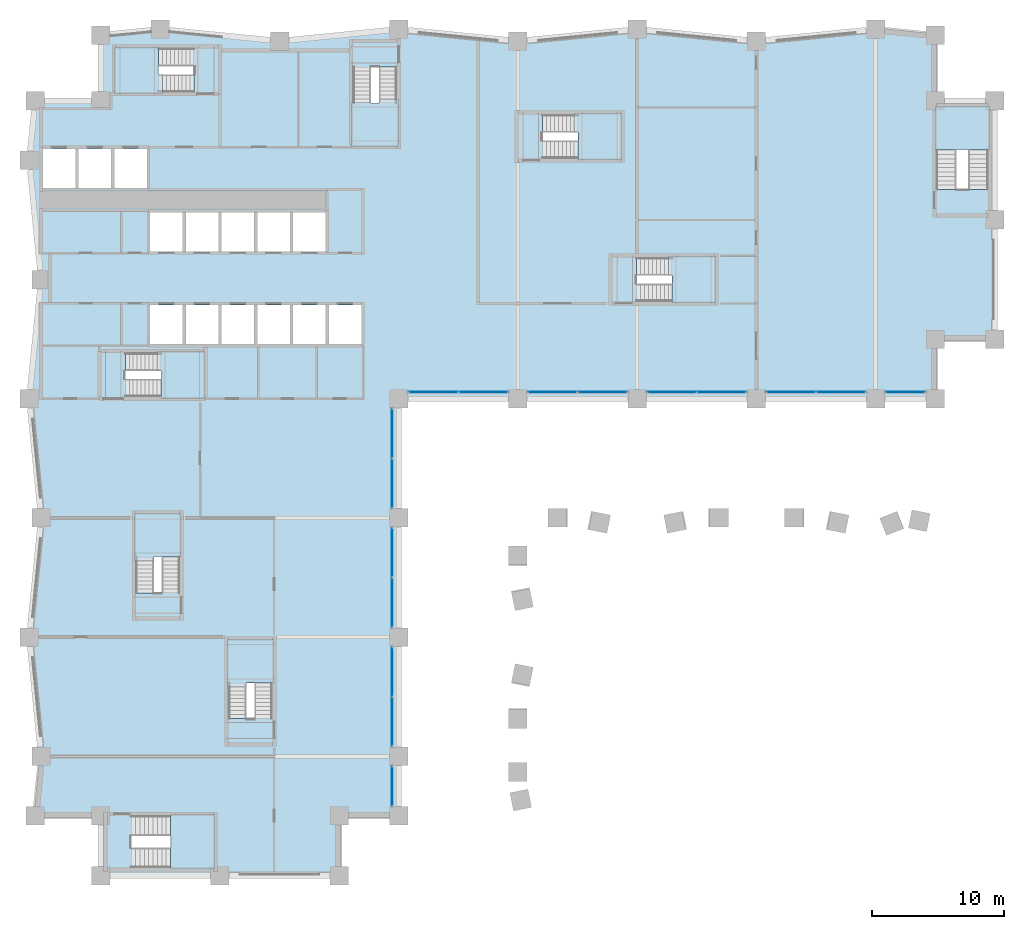
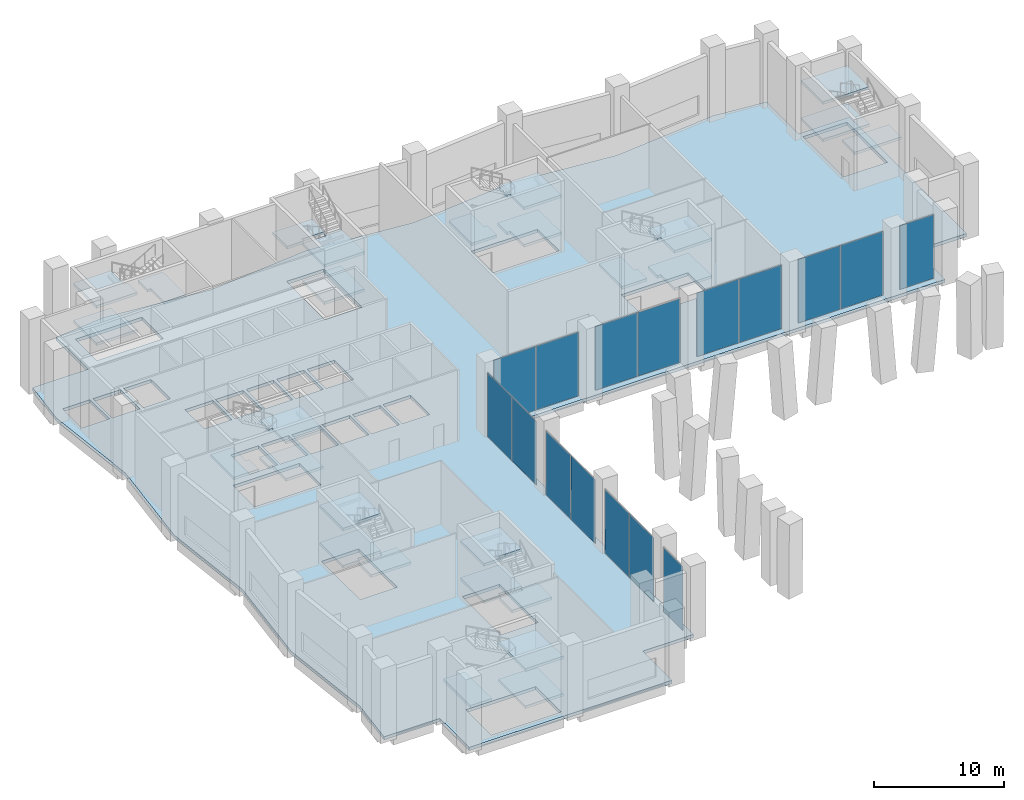
# One storey, part 9 of 18: 28 slabs, 16 plates, 18 elements without a shape of their own.
"""IFC4 building model written with IfcOpenShell, lengths in metres."""

from ifc_helpers import new_model, si_unit, direction, frame, origin, origin_2d, place, context, subcontext, project, spatial, polyline, rectangle, outline, extrude, material, layer, layer_set, type_object, element, aggregate, save


model = new_model("IFC4")

# Units and contexts
model_context = context("Model", 3, precision=1e-05, world=origin(), true_north=direction((0.0, 1.0)))
body_context = subcontext(model_context, "Body", "Model", "MODEL_VIEW")
ifc_project = project(units=[si_unit("LENGTHUNIT", "METRE"), si_unit("AREAUNIT", "SQUARE_METRE"), si_unit("VOLUMEUNIT", "CUBIC_METRE"), si_unit("PLANEANGLEUNIT", "RADIAN"), si_unit("MASSUNIT", "GRAM", prefix="KILO")], contexts=[model_context])

# Site, building, storey
site_placement = place(None, origin())
site = spatial("IfcSite", under=ifc_project, at=site_placement, CompositionType="ELEMENT")
building_placement = place(site_placement, origin())
building = spatial("IfcBuilding", under=site, at=building_placement, Name="Brondeck Convention Tower", CompositionType="ELEMENT")
storey_placement = place(building_placement, frame((0.0, 0.0, 7.5)))
storey = spatial("IfcBuildingStorey", under=building, at=storey_placement, Name="L01", CompositionType="ELEMENT", Elevation=7.5)

# Curtain wall, plate
ifc_material_1 = material(Name="Aluminium, bronze anodised", Category="aluminium")
curtain_wall_type = type_object("IfcCurtainWallType", Name="Podium hall curtain wall", PredefinedType="NOTDEFINED", material=ifc_material_1)
curtain_wall_1_placement = place(storey_placement, origin())
curtain_wall_1 = element("IfcCurtainWall", 1, at=curtain_wall_1_placement, inside=storey, type_object=curtain_wall_type, Name="ENV-CW2-L01-B-E-06", PredefinedType="NOTDEFINED")
ifc_material_2 = material(Name="Bronze tinted laminated glass", Category="glass")
ifc_layer_1 = layer(ifc_material_2, 0.009033203125, Name="Outer pane")
ifc_material_3 = material(Name="Argon-filled cavity")
ifc_layer_2 = layer(ifc_material_3, 0.011962890625, Name="Cavity")
ifc_material_4 = material(Name="Clear low-emissivity glass", Category="glass")
ifc_layer_3 = layer(ifc_material_4, 0.009033203125, Name="Inner pane")
ifc_layer_set_1 = layer_set([ifc_layer_1, ifc_layer_2, ifc_layer_3], Name="CW2 glazing panel")
plate_type = type_object("IfcPlateType", Name="CW2 glazing panel", PredefinedType="CURTAIN_PANEL", material=ifc_layer_set_1)
plate_1_placement = place(storey_placement, frame((26.5, 6.75, 0.06005859375), z_axis=(0.0, 0.0, 1.0), x_axis=(0.0, -1.0, 0.0)))
plate_1 = element("IfcPlate", 2, at=plate_1_placement, type_object=plate_type, Name="CW2 panel 1.1", PredefinedType="CURTAIN_PANEL", context=body_context, shape_type="SweptSolid", body=[
    extrude(rectangle(XDim=2.97998046875, YDim=0.030029296875, at=origin_2d()), origin(), (0.0, 0.0, 1.0), 5.97998046875),
])
aggregate(curtain_wall_1, [plate_1])

# Curtain wall, plates
curtain_wall_2_placement = place(storey_placement, origin())
curtain_wall_2 = element("IfcCurtainWall", 3, at=curtain_wall_2_placement, inside=storey, type_object=curtain_wall_type, Name="ENV-CW2-L01-B-E-05", PredefinedType="NOTDEFINED")
plate_2_placement = place(storey_placement, frame((26.5, 15.385009765625, 0.06005859375), z_axis=(0.0, 0.0, 1.0), x_axis=(0.0, -1.0, 0.0)))
plate_2 = element("IfcPlate", 4, at=plate_2_placement, type_object=plate_type, Name="CW2 panel 1.1", PredefinedType="CURTAIN_PANEL", context=body_context, shape_type="SweptSolid", body=[
    extrude(rectangle(XDim=3.7099609375, YDim=0.030029296875, at=origin_2d()), origin(), (0.0, 0.0, 1.0), 5.97998046875),
])
plate_3_placement = place(storey_placement, frame((26.5, 11.614990234375, 0.06005859375), z_axis=(0.0, 0.0, 1.0), x_axis=(0.0, -1.0, 0.0)))
plate_3 = element("IfcPlate", 5, at=plate_3_placement, type_object=plate_type, Name="CW2 panel 2.1", PredefinedType="CURTAIN_PANEL", context=body_context, shape_type="SweptSolid", body=[
    extrude(rectangle(XDim=3.7099609375, YDim=0.030029296875, at=origin_2d()), origin(), (0.0, 0.0, 1.0), 5.97998046875),
])
aggregate(curtain_wall_2, [plate_2, plate_3])

curtain_wall_3_placement = place(storey_placement, origin())
curtain_wall_3 = element("IfcCurtainWall", 6, at=curtain_wall_3_placement, inside=storey, type_object=curtain_wall_type, Name="ENV-CW2-L01-B-E-03", PredefinedType="NOTDEFINED")
plate_4_placement = place(storey_placement, frame((26.5, 24.385009765625, 0.06005859375), z_axis=(0.0, 0.0, 1.0), x_axis=(0.0, -1.0, 0.0)))
plate_4 = element("IfcPlate", 7, at=plate_4_placement, type_object=plate_type, Name="CW2 panel 1.1", PredefinedType="CURTAIN_PANEL", context=body_context, shape_type="SweptSolid", body=[
    extrude(rectangle(XDim=3.7099609375, YDim=0.030029296875, at=origin_2d()), origin(), (0.0, 0.0, 1.0), 5.97998046875),
])
plate_5_placement = place(storey_placement, frame((26.5, 20.614990234375, 0.06005859375), z_axis=(0.0, 0.0, 1.0), x_axis=(0.0, -1.0, 0.0)))
plate_5 = element("IfcPlate", 8, at=plate_5_placement, type_object=plate_type, Name="CW2 panel 2.1", PredefinedType="CURTAIN_PANEL", context=body_context, shape_type="SweptSolid", body=[
    extrude(rectangle(XDim=3.7099609375, YDim=0.030029296875, at=origin_2d()), origin(), (0.0, 0.0, 1.0), 5.97998046875),
])
aggregate(curtain_wall_3, [plate_4, plate_5])

curtain_wall_4_placement = place(storey_placement, origin())
curtain_wall_4 = element("IfcCurtainWall", 9, at=curtain_wall_4_placement, inside=storey, type_object=curtain_wall_type, Name="ENV-CW2-L01-B-E-01", PredefinedType="NOTDEFINED")
plate_6_placement = place(storey_placement, frame((26.5, 33.385009765625, 0.06005859375), z_axis=(0.0, 0.0, 1.0), x_axis=(0.0, -1.0, 0.0)))
plate_6 = element("IfcPlate", 10, at=plate_6_placement, type_object=plate_type, Name="CW2 panel 1.1", PredefinedType="CURTAIN_PANEL", context=body_context, shape_type="SweptSolid", body=[
    extrude(rectangle(XDim=3.7099609375, YDim=0.030029296875, at=origin_2d()), origin(), (0.0, 0.0, 1.0), 5.97998046875),
])
plate_7_placement = place(storey_placement, frame((26.5, 29.614990234375, 0.06005859375), z_axis=(0.0, 0.0, 1.0), x_axis=(0.0, -1.0, 0.0)))
plate_7 = element("IfcPlate", 11, at=plate_7_placement, type_object=plate_type, Name="CW2 panel 2.1", PredefinedType="CURTAIN_PANEL", context=body_context, shape_type="SweptSolid", body=[
    extrude(rectangle(XDim=3.7099609375, YDim=0.030029296875, at=origin_2d()), origin(), (0.0, 0.0, 1.0), 5.97998046875),
])
aggregate(curtain_wall_4, [plate_6, plate_7])

curtain_wall_5_placement = place(storey_placement, origin())
curtain_wall_5 = element("IfcCurtainWall", 12, at=curtain_wall_5_placement, inside=storey, type_object=curtain_wall_type, Name="ENV-CW2-L01-A-S-01", PredefinedType="NOTDEFINED")
plate_8_placement = place(storey_placement, frame((33.385009765625, 36.5, 0.06005859375), z_axis=(0.0, 0.0, 1.0), x_axis=(-1.0, 0.0, 0.0)))
plate_8 = element("IfcPlate", 13, at=plate_8_placement, type_object=plate_type, Name="CW2 panel 1.1", PredefinedType="CURTAIN_PANEL", context=body_context, shape_type="SweptSolid", body=[
    extrude(rectangle(XDim=3.7099609375, YDim=0.030029296875, at=origin_2d()), origin(), (0.0, 0.0, 1.0), 5.97998046875),
])
plate_9_placement = place(storey_placement, frame((29.614990234375, 36.5, 0.06005859375), z_axis=(0.0, 0.0, 1.0), x_axis=(-1.0, 0.0, 0.0)))
plate_9 = element("IfcPlate", 14, at=plate_9_placement, type_object=plate_type, Name="CW2 panel 2.1", PredefinedType="CURTAIN_PANEL", context=body_context, shape_type="SweptSolid", body=[
    extrude(rectangle(XDim=3.7099609375, YDim=0.030029296875, at=origin_2d()), origin(), (0.0, 0.0, 1.0), 5.97998046875),
])
aggregate(curtain_wall_5, [plate_8, plate_9])

curtain_wall_6_placement = place(storey_placement, origin())
curtain_wall_6 = element("IfcCurtainWall", 15, at=curtain_wall_6_placement, inside=storey, type_object=curtain_wall_type, Name="ENV-CW2-L01-A-S-03", PredefinedType="NOTDEFINED")
plate_10_placement = place(storey_placement, frame((42.385009765625, 36.5, 0.06005859375), z_axis=(0.0, 0.0, 1.0), x_axis=(-1.0, 0.0, 0.0)))
plate_10 = element("IfcPlate", 16, at=plate_10_placement, type_object=plate_type, Name="CW2 panel 1.1", PredefinedType="CURTAIN_PANEL", context=body_context, shape_type="SweptSolid", body=[
    extrude(rectangle(XDim=3.7099609375, YDim=0.030029296875, at=origin_2d()), origin(), (0.0, 0.0, 1.0), 5.97998046875),
])
plate_11_placement = place(storey_placement, frame((38.614990234375, 36.5, 0.06005859375), z_axis=(0.0, 0.0, 1.0), x_axis=(-1.0, 0.0, 0.0)))
plate_11 = element("IfcPlate", 17, at=plate_11_placement, type_object=plate_type, Name="CW2 panel 2.1", PredefinedType="CURTAIN_PANEL", context=body_context, shape_type="SweptSolid", body=[
    extrude(rectangle(XDim=3.7099609375, YDim=0.030029296875, at=origin_2d()), origin(), (0.0, 0.0, 1.0), 5.97998046875),
])
aggregate(curtain_wall_6, [plate_10, plate_11])

curtain_wall_7_placement = place(storey_placement, origin())
curtain_wall_7 = element("IfcCurtainWall", 18, at=curtain_wall_7_placement, inside=storey, type_object=curtain_wall_type, Name="ENV-CW2-L01-A-S-05", PredefinedType="NOTDEFINED")
plate_12_placement = place(storey_placement, frame((51.385009765625, 36.5, 0.06005859375), z_axis=(0.0, 0.0, 1.0), x_axis=(-1.0, 0.0, 0.0)))
plate_12 = element("IfcPlate", 19, at=plate_12_placement, type_object=plate_type, Name="CW2 panel 1.1", PredefinedType="CURTAIN_PANEL", context=body_context, shape_type="SweptSolid", body=[
    extrude(rectangle(XDim=3.7099609375, YDim=0.030029296875, at=origin_2d()), origin(), (0.0, 0.0, 1.0), 5.97998046875),
])
plate_13_placement = place(storey_placement, frame((47.614990234375, 36.5, 0.06005859375), z_axis=(0.0, 0.0, 1.0), x_axis=(-1.0, 0.0, 0.0)))
plate_13 = element("IfcPlate", 20, at=plate_13_placement, type_object=plate_type, Name="CW2 panel 2.1", PredefinedType="CURTAIN_PANEL", context=body_context, shape_type="SweptSolid", body=[
    extrude(rectangle(XDim=3.7099609375, YDim=0.030029296875, at=origin_2d()), origin(), (0.0, 0.0, 1.0), 5.97998046875),
])
aggregate(curtain_wall_7, [plate_12, plate_13])

curtain_wall_8_placement = place(storey_placement, origin())
curtain_wall_8 = element("IfcCurtainWall", 21, at=curtain_wall_8_placement, inside=storey, type_object=curtain_wall_type, Name="ENV-CW2-L01-A-S-07", PredefinedType="NOTDEFINED")
plate_14_placement = place(storey_placement, frame((60.385009765625, 36.5, 0.06005859375), z_axis=(0.0, 0.0, 1.0), x_axis=(-1.0, 0.0, 0.0)))
plate_14 = element("IfcPlate", 22, at=plate_14_placement, type_object=plate_type, Name="CW2 panel 1.1", PredefinedType="CURTAIN_PANEL", context=body_context, shape_type="SweptSolid", body=[
    extrude(rectangle(XDim=3.7099609375, YDim=0.030029296875, at=origin_2d()), origin(), (0.0, 0.0, 1.0), 5.97998046875),
])
plate_15_placement = place(storey_placement, frame((56.614990234375, 36.5, 0.06005859375), z_axis=(0.0, 0.0, 1.0), x_axis=(-1.0, 0.0, 0.0)))
plate_15 = element("IfcPlate", 23, at=plate_15_placement, type_object=plate_type, Name="CW2 panel 2.1", PredefinedType="CURTAIN_PANEL", context=body_context, shape_type="SweptSolid", body=[
    extrude(rectangle(XDim=3.7099609375, YDim=0.030029296875, at=origin_2d()), origin(), (0.0, 0.0, 1.0), 5.97998046875),
])
aggregate(curtain_wall_8, [plate_14, plate_15])

# Curtain wall, plate
curtain_wall_9_placement = place(storey_placement, origin())
curtain_wall_9 = element("IfcCurtainWall", 24, at=curtain_wall_9_placement, inside=storey, type_object=curtain_wall_type, Name="ENV-CW2-L01-A-S-08", PredefinedType="NOTDEFINED")
plate_16_placement = place(storey_placement, frame((65.25, 36.5, 0.06005859375), z_axis=(0.0, 0.0, 1.0), x_axis=(-1.0, 0.0, 0.0)))
plate_16 = element("IfcPlate", 25, at=plate_16_placement, type_object=plate_type, Name="CW2 panel 1.1", PredefinedType="CURTAIN_PANEL", context=body_context, shape_type="SweptSolid", body=[
    extrude(rectangle(XDim=2.97998046875, YDim=0.030029296875, at=origin_2d()), origin(), (0.0, 0.0, 1.0), 5.97998046875),
])
aggregate(curtain_wall_9, [plate_16])

# Slab
ifc_material_5 = material(Name="Concrete C35/45", Category="concrete")
ifc_layer_4 = layer(ifc_material_5, 0.300048828125)
ifc_layer_set_2 = layer_set([ifc_layer_4], Name="Composite floor slab 300")
slab_type_1 = type_object("IfcSlabType", Name="Composite floor slab 300", PredefinedType="FLOOR", material=ifc_layer_set_2)
slab_1_placement = place(storey_placement, frame((0.0, 0.0, -0.300048828125)))
element("IfcSlab", 26, at=slab_1_placement, inside=storey, type_object=slab_type_1, Name="STR-SL-L01", PredefinedType="FLOOR", context=body_context, shape_type="SweptSolid", body=[
    extrude(outline(polyline([(4.5, 4.5), (-0.449951171875, 4.5), (0.0, 9.0), (-0.89990234375, 18.0), (0.0, 27.0), (-0.89990234375, 36.0), (0.0, 45.0), (-0.89990234375, 54.0), (-0.449951171875, 58.5), (4.5, 58.5), (4.5, 63.449951171875), (9.0, 63.89990234375), (18.0, 63.0), (27.0, 63.89990234375), (36.0, 63.0), (45.0, 63.89990234375), (54.0, 63.0), (63.0, 63.89990234375), (67.5, 63.449951171875), (67.5, 58.5), (72.0, 58.5), (72.0, 40.5), (67.5, 40.5), (67.5, 36.0), (27.0, 36.0), (27.0, 4.5), (22.5, 4.5), (22.5, 0.0), (4.5, 0.0), (4.5, 4.5)]), holes=[polyline([(12.998046875, 0.60205078125), (12.998046875, 4.498046875), (6.802001953125, 4.498046875), (6.802001953125, 0.60205078125), (12.998046875, 0.60205078125)]), polyline([(10.447998046875, 27.248046875), (7.152099609375, 27.248046875), (7.152099609375, 21.35205078125), (10.447998046875, 21.35205078125), (10.447998046875, 27.248046875)]), polyline([(12.248046875, 36.152099609375), (12.248046875, 39.447998046875), (6.35205078125, 39.447998046875), (6.35205078125, 36.152099609375), (12.248046875, 36.152099609375)]), polyline([(8.22509765625, 40.125), (10.675048828125, 40.125), (10.675048828125, 43.074951171875), (8.22509765625, 43.074951171875), (8.22509765625, 40.125)]), polyline([(10.925048828125, 40.125), (13.375, 40.125), (13.375, 43.074951171875), (10.925048828125, 43.074951171875), (10.925048828125, 40.125)]), polyline([(10.675048828125, 47.125), (10.675048828125, 50.074951171875), (8.22509765625, 50.074951171875), (8.22509765625, 47.125), (10.675048828125, 47.125)]), polyline([(10.925048828125, 47.125), (13.375, 47.125), (13.375, 50.074951171875), (10.925048828125, 50.074951171875), (10.925048828125, 47.125)]), polyline([(13.625, 47.125), (16.074951171875, 47.125), (16.074951171875, 50.074951171875), (13.625, 50.074951171875), (13.625, 47.125)]), polyline([(2.574951171875, 51.925048828125), (2.574951171875, 54.875), (0.125, 54.875), (0.125, 51.925048828125), (2.574951171875, 51.925048828125)]), polyline([(2.824951171875, 51.925048828125), (5.27490234375, 51.925048828125), (5.27490234375, 54.875), (2.824951171875, 54.875), (2.824951171875, 51.925048828125)]), polyline([(5.52490234375, 51.925048828125), (7.97509765625, 51.925048828125), (7.97509765625, 54.875), (5.52490234375, 54.875), (5.52490234375, 51.925048828125)]), polyline([(5.652099609375, 62.447998046875), (5.652099609375, 59.152099609375), (11.548095703125, 59.152099609375), (11.548095703125, 62.447998046875), (5.652099609375, 62.447998046875)]), polyline([(17.447998046875, 11.85205078125), (17.447998046875, 17.748046875), (14.152099609375, 17.748046875), (14.152099609375, 11.85205078125), (17.447998046875, 11.85205078125)]), polyline([(13.625, 40.125), (16.074951171875, 40.125), (16.074951171875, 43.074951171875), (13.625, 43.074951171875), (13.625, 40.125)]), polyline([(18.77490234375, 40.125), (18.77490234375, 43.074951171875), (16.324951171875, 43.074951171875), (16.324951171875, 40.125), (18.77490234375, 40.125)]), polyline([(19.02490234375, 40.125), (21.47509765625, 40.125), (21.47509765625, 43.074951171875), (19.02490234375, 43.074951171875), (19.02490234375, 40.125)]), polyline([(21.72509765625, 40.125), (24.175048828125, 40.125), (24.175048828125, 43.074951171875), (21.72509765625, 43.074951171875), (21.72509765625, 40.125)]), polyline([(50.847900390625, 43.35205078125), (50.847900390625, 46.64794921875), (44.951904296875, 46.64794921875), (44.951904296875, 43.35205078125), (50.847900390625, 43.35205078125)]), polyline([(16.324951171875, 47.125), (18.77490234375, 47.125), (18.77490234375, 50.074951171875), (16.324951171875, 50.074951171875), (16.324951171875, 47.125)]), polyline([(19.02490234375, 47.125), (21.47509765625, 47.125), (21.47509765625, 50.074951171875), (19.02490234375, 50.074951171875), (19.02490234375, 47.125)]), polyline([(71.498046875, 57.998046875), (67.60205078125, 57.998046875), (67.60205078125, 51.802001953125), (71.498046875, 51.802001953125), (71.498046875, 57.998046875)]), polyline([(37.85205078125, 54.152099609375), (43.748046875, 54.152099609375), (43.748046875, 57.447998046875), (37.85205078125, 57.447998046875), (37.85205078125, 54.152099609375)]), polyline([(23.552001953125, 61.048095703125), (23.552001953125, 55.152099609375), (26.847900390625, 55.152099609375), (26.847900390625, 61.048095703125), (23.552001953125, 61.048095703125)])]), origin(), (0.0, 0.0, 1.0), 0.300048828125),
])

# Stair, slabs
ifc_material_6 = material(Name="Precast concrete C50/60", Category="concrete")
stair_type_1 = type_object("IfcStairType", Name="Core stair 40 risers 175.00 mm riser 300 mm going 1350 wide", PredefinedType="HALF_TURN_STAIR", material=ifc_material_6)
stair_1_placement = place(storey_placement, origin())
stair_1 = element("IfcStair", 27, at=stair_1_placement, inside=storey, type_object=stair_type_1, Name="ST-1 L01 stair", PredefinedType="HALF_TURN_STAIR")
ifc_layer_5 = layer(ifc_material_6, 0.25)
ifc_layer_set_3 = layer_set([ifc_layer_5], Name="Core stair landing 250 Precast concrete C50/60")
slab_type_2 = type_object("IfcSlabType", Name="Core stair landing 250 Precast concrete C50/60", PredefinedType="LANDING", material=ifc_layer_set_3)
slab_2_placement = place(storey_placement, frame((0.0, 0.0, 1.5)))
slab_2 = element("IfcSlab", 28, at=slab_2_placement, type_object=slab_type_2, Name="ST-1 landing 1", PredefinedType="LANDING", context=body_context, shape_type="SweptSolid", body=[
    extrude(outline(polyline([(9.048095703125, 37.5), (9.050048828125, 37.5), (9.050048828125, 38.10009765625), (8.75, 38.10009765625), (8.75, 39.570068359375), (12.3701171875, 39.570068359375), (12.3701171875, 36.030029296875), (9.048095703125, 36.030029296875), (9.048095703125, 37.5)])), origin(), (0.0, 0.0, 1.0), 0.25),
])
slab_3_placement = place(storey_placement, frame((0.0, 0.0, 3.25)))
slab_3 = element("IfcSlab", 29, at=slab_3_placement, type_object=slab_type_2, Name="ST-1 landing 2", PredefinedType="LANDING", context=body_context, shape_type="SweptSolid", body=[
    extrude(outline(polyline([(6.64990234375, 37.5), (6.64990234375, 36.030029296875), (4.429931640625, 36.030029296875), (4.429931640625, 39.570068359375), (6.35205078125, 39.570068359375), (6.35205078125, 38.10009765625), (6.35009765625, 38.10009765625), (6.35009765625, 37.5), (6.64990234375, 37.5)])), origin(), (0.0, 0.0, 1.0), 0.25),
])
slab_4_placement = place(storey_placement, frame((0.0, 0.0, 5.0)))
slab_4 = element("IfcSlab", 30, at=slab_4_placement, type_object=slab_type_2, Name="ST-1 landing 3", PredefinedType="LANDING", context=body_context, shape_type="SweptSolid", body=[
    extrude(outline(polyline([(9.048095703125, 37.5), (9.050048828125, 37.5), (9.050048828125, 38.10009765625), (8.75, 38.10009765625), (8.75, 39.570068359375), (12.3701171875, 39.570068359375), (12.3701171875, 36.030029296875), (9.048095703125, 36.030029296875), (9.048095703125, 37.5)])), origin(), (0.0, 0.0, 1.0), 0.25),
])
aggregate(stair_1, [slab_2, slab_3, slab_4])

stair_2_placement = place(storey_placement, origin())
stair_2 = element("IfcStair", 31, at=stair_2_placement, inside=storey, type_object=stair_type_1, Name="ST-2 L01 stair", PredefinedType="HALF_TURN_STAIR")
slab_5_placement = place(storey_placement, frame((0.0, 0.0, 1.5)))
slab_5 = element("IfcSlab", 32, at=slab_5_placement, type_object=slab_type_2, Name="ST-2 landing 1", PredefinedType="LANDING", context=body_context, shape_type="SweptSolid", body=[
    extrude(outline(polyline([(23.429931640625, 58.35205078125), (24.89990234375, 58.35205078125), (24.89990234375, 58.35009765625), (25.5, 58.35009765625), (25.5, 58.64990234375), (26.969970703125, 58.64990234375), (26.969970703125, 55.030029296875), (23.429931640625, 55.030029296875), (23.429931640625, 58.35205078125)])), origin(), (0.0, 0.0, 1.0), 0.25),
])
slab_6_placement = place(storey_placement, frame((0.0, 0.0, 3.25)))
slab_6 = element("IfcSlab", 33, at=slab_6_placement, type_object=slab_type_2, Name="ST-2 landing 2", PredefinedType="LANDING", context=body_context, shape_type="SweptSolid", body=[
    extrude(outline(polyline([(23.429931640625, 62.969970703125), (26.969970703125, 62.969970703125), (26.969970703125, 61.048095703125), (25.5, 61.048095703125), (25.5, 61.050048828125), (24.89990234375, 61.050048828125), (24.89990234375, 60.75), (23.429931640625, 60.75), (23.429931640625, 62.969970703125)])), origin(), (0.0, 0.0, 1.0), 0.25),
])
slab_7_placement = place(storey_placement, frame((0.0, 0.0, 5.0)))
slab_7 = element("IfcSlab", 34, at=slab_7_placement, type_object=slab_type_2, Name="ST-2 landing 3", PredefinedType="LANDING", context=body_context, shape_type="SweptSolid", body=[
    extrude(outline(polyline([(23.429931640625, 58.35205078125), (24.89990234375, 58.35205078125), (24.89990234375, 58.35009765625), (25.5, 58.35009765625), (25.5, 58.64990234375), (26.969970703125, 58.64990234375), (26.969970703125, 55.030029296875), (23.429931640625, 55.030029296875), (23.429931640625, 58.35205078125)])), origin(), (0.0, 0.0, 1.0), 0.25),
])
aggregate(stair_2, [slab_5, slab_6, slab_7])

stair_3_placement = place(storey_placement, origin())
stair_3 = element("IfcStair", 35, at=stair_3_placement, inside=storey, type_object=stair_type_1, Name="ST-3 L01 stair", PredefinedType="HALF_TURN_STAIR")
slab_8_placement = place(storey_placement, frame((0.0, 0.0, 1.5)))
slab_8 = element("IfcSlab", 36, at=slab_8_placement, type_object=slab_type_2, Name="ST-3 landing 1", PredefinedType="LANDING", context=body_context, shape_type="SweptSolid", body=[
    extrude(outline(polyline([(9.14990234375, 60.5), (9.14990234375, 59.030029296875), (5.530029296875, 59.030029296875), (5.530029296875, 62.570068359375), (8.85205078125, 62.570068359375), (8.85205078125, 61.10009765625), (8.85009765625, 61.10009765625), (8.85009765625, 60.5), (9.14990234375, 60.5)])), origin(), (0.0, 0.0, 1.0), 0.25),
])
slab_9_placement = place(storey_placement, frame((0.0, 0.0, 3.25)))
slab_9 = element("IfcSlab", 37, at=slab_9_placement, type_object=slab_type_2, Name="ST-3 landing 2", PredefinedType="LANDING", context=body_context, shape_type="SweptSolid", body=[
    extrude(outline(polyline([(11.548095703125, 60.5), (11.550048828125, 60.5), (11.550048828125, 61.10009765625), (11.25, 61.10009765625), (11.25, 62.570068359375), (13.469970703125, 62.570068359375), (13.469970703125, 59.030029296875), (11.548095703125, 59.030029296875), (11.548095703125, 60.5)])), origin(), (0.0, 0.0, 1.0), 0.25),
])
slab_10_placement = place(storey_placement, frame((0.0, 0.0, 5.0)))
slab_10 = element("IfcSlab", 38, at=slab_10_placement, type_object=slab_type_2, Name="ST-3 landing 3", PredefinedType="LANDING", context=body_context, shape_type="SweptSolid", body=[
    extrude(outline(polyline([(9.14990234375, 60.5), (9.14990234375, 59.030029296875), (5.530029296875, 59.030029296875), (5.530029296875, 62.570068359375), (8.85205078125, 62.570068359375), (8.85205078125, 61.10009765625), (8.85009765625, 61.10009765625), (8.85009765625, 60.5), (9.14990234375, 60.5)])), origin(), (0.0, 0.0, 1.0), 0.25),
])
aggregate(stair_3, [slab_8, slab_9, slab_10])

stair_4_placement = place(storey_placement, origin())
stair_4 = element("IfcStair", 39, at=stair_4_placement, inside=storey, type_object=stair_type_1, Name="ST-AE L01 stair", PredefinedType="HALF_TURN_STAIR")
slab_11_placement = place(storey_placement, frame((0.0, 0.0, 1.5)))
slab_11 = element("IfcSlab", 40, at=slab_11_placement, type_object=slab_type_2, Name="ST-AE landing 1", PredefinedType="LANDING", context=body_context, shape_type="SweptSolid", body=[
    extrude(outline(polyline([(40.548095703125, 55.5), (40.550048828125, 55.5), (40.550048828125, 56.10009765625), (40.25, 56.10009765625), (40.25, 57.570068359375), (43.8701171875, 57.570068359375), (43.8701171875, 54.030029296875), (40.548095703125, 54.030029296875), (40.548095703125, 55.5)])), origin(), (0.0, 0.0, 1.0), 0.25),
])
slab_12_placement = place(storey_placement, frame((0.0, 0.0, 3.25)))
slab_12 = element("IfcSlab", 41, at=slab_12_placement, type_object=slab_type_2, Name="ST-AE landing 2", PredefinedType="LANDING", context=body_context, shape_type="SweptSolid", body=[
    extrude(outline(polyline([(38.14990234375, 55.5), (38.14990234375, 54.030029296875), (35.929931640625, 54.030029296875), (35.929931640625, 57.570068359375), (37.85205078125, 57.570068359375), (37.85205078125, 56.10009765625), (37.85009765625, 56.10009765625), (37.85009765625, 55.5), (38.14990234375, 55.5)])), origin(), (0.0, 0.0, 1.0), 0.25),
])
slab_13_placement = place(storey_placement, frame((0.0, 0.0, 5.0)))
slab_13 = element("IfcSlab", 42, at=slab_13_placement, type_object=slab_type_2, Name="ST-AE landing 3", PredefinedType="LANDING", context=body_context, shape_type="SweptSolid", body=[
    extrude(outline(polyline([(40.548095703125, 55.5), (40.550048828125, 55.5), (40.550048828125, 56.10009765625), (40.25, 56.10009765625), (40.25, 57.570068359375), (43.8701171875, 57.570068359375), (43.8701171875, 54.030029296875), (40.548095703125, 54.030029296875), (40.548095703125, 55.5)])), origin(), (0.0, 0.0, 1.0), 0.25),
])
aggregate(stair_4, [slab_11, slab_12, slab_13])

stair_5_placement = place(storey_placement, origin())
stair_5 = element("IfcStair", 43, at=stair_5_placement, inside=storey, type_object=stair_type_1, Name="ST-BE L01 stair", PredefinedType="HALF_TURN_STAIR")
slab_14_placement = place(storey_placement, frame((0.0, 0.0, 1.5)))
slab_14 = element("IfcSlab", 44, at=slab_14_placement, type_object=slab_type_2, Name="ST-BE landing 1", PredefinedType="LANDING", context=body_context, shape_type="SweptSolid", body=[
    extrude(outline(polyline([(7.030029296875, 23.75), (7.030029296875, 27.3701171875), (10.570068359375, 27.3701171875), (10.570068359375, 24.048095703125), (9.10009765625, 24.048095703125), (9.10009765625, 24.050048828125), (8.5, 24.050048828125), (8.5, 23.75), (7.030029296875, 23.75)])), origin(), (0.0, 0.0, 1.0), 0.25),
])
slab_15_placement = place(storey_placement, frame((0.0, 0.0, 3.25)))
slab_15 = element("IfcSlab", 45, at=slab_15_placement, type_object=slab_type_2, Name="ST-BE landing 2", PredefinedType="LANDING", context=body_context, shape_type="SweptSolid", body=[
    extrude(outline(polyline([(10.570068359375, 19.429931640625), (7.030029296875, 19.429931640625), (7.030029296875, 21.35205078125), (8.5, 21.35205078125), (8.5, 21.35009765625), (9.10009765625, 21.35009765625), (9.10009765625, 21.64990234375), (10.570068359375, 21.64990234375), (10.570068359375, 19.429931640625)])), origin(), (0.0, 0.0, 1.0), 0.25),
])
slab_16_placement = place(storey_placement, frame((0.0, 0.0, 5.0)))
slab_16 = element("IfcSlab", 46, at=slab_16_placement, type_object=slab_type_2, Name="ST-BE landing 3", PredefinedType="LANDING", context=body_context, shape_type="SweptSolid", body=[
    extrude(outline(polyline([(7.030029296875, 23.75), (7.030029296875, 27.3701171875), (10.570068359375, 27.3701171875), (10.570068359375, 24.048095703125), (9.10009765625, 24.048095703125), (9.10009765625, 24.050048828125), (8.5, 24.050048828125), (8.5, 23.75), (7.030029296875, 23.75)])), origin(), (0.0, 0.0, 1.0), 0.25),
])
aggregate(stair_5, [slab_14, slab_15, slab_16])

stair_6_placement = place(storey_placement, origin())
stair_6 = element("IfcStair", 47, at=stair_6_placement, inside=storey, type_object=stair_type_1, Name="ST-AF L01 stair", PredefinedType="HALF_TURN_STAIR")
slab_17_placement = place(storey_placement, frame((0.0, 0.0, 1.5)))
slab_17 = element("IfcSlab", 48, at=slab_17_placement, type_object=slab_type_2, Name="ST-AF landing 1", PredefinedType="LANDING", context=body_context, shape_type="SweptSolid", body=[
    extrude(outline(polyline([(47.64794921875, 44.699951171875), (47.64990234375, 44.699951171875), (47.64990234375, 45.300048828125), (47.35009765625, 45.300048828125), (47.35009765625, 46.77001953125), (50.969970703125, 46.77001953125), (50.969970703125, 43.22998046875), (47.64794921875, 43.22998046875), (47.64794921875, 44.699951171875)])), origin(), (0.0, 0.0, 1.0), 0.25),
])
slab_18_placement = place(storey_placement, frame((0.0, 0.0, 3.25)))
slab_18 = element("IfcSlab", 49, at=slab_18_placement, type_object=slab_type_2, Name="ST-AF landing 2", PredefinedType="LANDING", context=body_context, shape_type="SweptSolid", body=[
    extrude(outline(polyline([(45.25, 44.699951171875), (45.25, 43.22998046875), (43.030029296875, 43.22998046875), (43.030029296875, 46.77001953125), (44.951904296875, 46.77001953125), (44.951904296875, 45.300048828125), (44.949951171875, 45.300048828125), (44.949951171875, 44.699951171875), (45.25, 44.699951171875)])), origin(), (0.0, 0.0, 1.0), 0.25),
])
slab_19_placement = place(storey_placement, frame((0.0, 0.0, 5.0)))
slab_19 = element("IfcSlab", 50, at=slab_19_placement, type_object=slab_type_2, Name="ST-AF landing 3", PredefinedType="LANDING", context=body_context, shape_type="SweptSolid", body=[
    extrude(outline(polyline([(47.64794921875, 44.699951171875), (47.64990234375, 44.699951171875), (47.64990234375, 45.300048828125), (47.35009765625, 45.300048828125), (47.35009765625, 46.77001953125), (50.969970703125, 46.77001953125), (50.969970703125, 43.22998046875), (47.64794921875, 43.22998046875), (47.64794921875, 44.699951171875)])), origin(), (0.0, 0.0, 1.0), 0.25),
])
aggregate(stair_6, [slab_17, slab_18, slab_19])

stair_7_placement = place(storey_placement, origin())
stair_7 = element("IfcStair", 51, at=stair_7_placement, inside=storey, type_object=stair_type_1, Name="ST-BF L01 stair", PredefinedType="HALF_TURN_STAIR")
slab_20_placement = place(storey_placement, frame((0.0, 0.0, 1.5)))
slab_20 = element("IfcSlab", 52, at=slab_20_placement, type_object=slab_type_2, Name="ST-BF landing 1", PredefinedType="LANDING", context=body_context, shape_type="SweptSolid", body=[
    extrude(outline(polyline([(14.030029296875, 14.25), (14.030029296875, 17.8701171875), (17.570068359375, 17.8701171875), (17.570068359375, 14.548095703125), (16.10009765625, 14.548095703125), (16.10009765625, 14.550048828125), (15.5, 14.550048828125), (15.5, 14.25), (14.030029296875, 14.25)])), origin(), (0.0, 0.0, 1.0), 0.25),
])
slab_21_placement = place(storey_placement, frame((0.0, 0.0, 3.25)))
slab_21 = element("IfcSlab", 53, at=slab_21_placement, type_object=slab_type_2, Name="ST-BF landing 2", PredefinedType="LANDING", context=body_context, shape_type="SweptSolid", body=[
    extrude(outline(polyline([(17.570068359375, 9.929931640625), (14.030029296875, 9.929931640625), (14.030029296875, 11.85205078125), (15.5, 11.85205078125), (15.5, 11.85009765625), (16.10009765625, 11.85009765625), (16.10009765625, 12.14990234375), (17.570068359375, 12.14990234375), (17.570068359375, 9.929931640625)])), origin(), (0.0, 0.0, 1.0), 0.25),
])
slab_22_placement = place(storey_placement, frame((0.0, 0.0, 5.0)))
slab_22 = element("IfcSlab", 54, at=slab_22_placement, type_object=slab_type_2, Name="ST-BF landing 3", PredefinedType="LANDING", context=body_context, shape_type="SweptSolid", body=[
    extrude(outline(polyline([(14.030029296875, 14.25), (14.030029296875, 17.8701171875), (17.570068359375, 17.8701171875), (17.570068359375, 14.548095703125), (16.10009765625, 14.548095703125), (16.10009765625, 14.550048828125), (15.5, 14.550048828125), (15.5, 14.25), (14.030029296875, 14.25)])), origin(), (0.0, 0.0, 1.0), 0.25),
])
aggregate(stair_7, [slab_20, slab_21, slab_22])

stair_type_2 = type_object("IfcStairType", Name="Core stair 40 risers 175.00 mm riser 330 mm going 1500 wide", PredefinedType="HALF_TURN_STAIR", material=ifc_material_6)
stair_8_placement = place(storey_placement, origin())
stair_8 = element("IfcStair", 55, at=stair_8_placement, inside=storey, type_object=stair_type_2, Name="PS-1 L01 stair", PredefinedType="HALF_TURN_STAIR")
slab_23_placement = place(storey_placement, frame((0.0, 0.0, 1.5)))
slab_23 = element("IfcSlab", 56, at=slab_23_placement, type_object=slab_type_2, Name="PS-1 landing 1", PredefinedType="LANDING", context=body_context, shape_type="SweptSolid", body=[
    extrude(outline(polyline([(69.10009765625, 54.76806640625), (67.47998046875, 54.76806640625), (67.47998046875, 58.1201171875), (71.6201171875, 58.1201171875), (71.6201171875, 54.76806640625), (70.0, 54.76806640625), (70.0, 54.77001953125), (69.10009765625, 54.77001953125), (69.10009765625, 54.76806640625)])), origin(), (0.0, 0.0, 1.0), 0.25),
])
slab_24_placement = place(storey_placement, frame((0.0, 0.0, 3.25)))
slab_24 = element("IfcSlab", 57, at=slab_24_placement, type_object=slab_type_2, Name="PS-1 landing 2", PredefinedType="LANDING", context=body_context, shape_type="SweptSolid", body=[
    extrude(outline(polyline([(71.6201171875, 49.8798828125), (67.47998046875, 49.8798828125), (67.47998046875, 51.802001953125), (69.10009765625, 51.802001953125), (69.10009765625, 51.800048828125), (70.0, 51.800048828125), (70.0, 51.802001953125), (71.6201171875, 51.802001953125), (71.6201171875, 49.8798828125)])), origin(), (0.0, 0.0, 1.0), 0.25),
])
slab_25_placement = place(storey_placement, frame((0.0, 0.0, 5.0)))
slab_25 = element("IfcSlab", 58, at=slab_25_placement, type_object=slab_type_2, Name="PS-1 landing 3", PredefinedType="LANDING", context=body_context, shape_type="SweptSolid", body=[
    extrude(outline(polyline([(69.10009765625, 54.76806640625), (67.47998046875, 54.76806640625), (67.47998046875, 58.1201171875), (71.6201171875, 58.1201171875), (71.6201171875, 54.76806640625), (70.0, 54.76806640625), (70.0, 54.77001953125), (69.10009765625, 54.77001953125), (69.10009765625, 54.76806640625)])), origin(), (0.0, 0.0, 1.0), 0.25),
])
aggregate(stair_8, [slab_23, slab_24, slab_25])

stair_9_placement = place(storey_placement, origin())
stair_9 = element("IfcStair", 59, at=stair_9_placement, inside=storey, type_object=stair_type_2, Name="PS-2 L01 stair", PredefinedType="HALF_TURN_STAIR")
slab_26_placement = place(storey_placement, frame((0.0, 0.0, 1.5)))
slab_26 = element("IfcSlab", 60, at=slab_26_placement, type_object=slab_type_2, Name="PS-2 landing 1", PredefinedType="LANDING", context=body_context, shape_type="SweptSolid", body=[
    extrude(outline(polyline([(9.76806640625, 0.47998046875), (9.76806640625, 2.10009765625), (9.77001953125, 2.10009765625), (9.77001953125, 3.0), (9.76806640625, 3.0), (9.76806640625, 4.6201171875), (13.1201171875, 4.6201171875), (13.1201171875, 0.47998046875), (9.76806640625, 0.47998046875)])), origin(), (0.0, 0.0, 1.0), 0.25),
])
slab_27_placement = place(storey_placement, frame((0.0, 0.0, 3.25)))
slab_27 = element("IfcSlab", 61, at=slab_27_placement, type_object=slab_type_2, Name="PS-2 landing 2", PredefinedType="LANDING", context=body_context, shape_type="SweptSolid", body=[
    extrude(outline(polyline([(4.8798828125, 0.47998046875), (4.8798828125, 4.6201171875), (6.802001953125, 4.6201171875), (6.802001953125, 3.0), (6.800048828125, 3.0), (6.800048828125, 2.10009765625), (6.802001953125, 2.10009765625), (6.802001953125, 0.47998046875), (4.8798828125, 0.47998046875)])), origin(), (0.0, 0.0, 1.0), 0.25),
])
slab_28_placement = place(storey_placement, frame((0.0, 0.0, 5.0)))
slab_28 = element("IfcSlab", 62, at=slab_28_placement, type_object=slab_type_2, Name="PS-2 landing 3", PredefinedType="LANDING", context=body_context, shape_type="SweptSolid", body=[
    extrude(outline(polyline([(9.76806640625, 0.47998046875), (9.76806640625, 2.10009765625), (9.77001953125, 2.10009765625), (9.77001953125, 3.0), (9.76806640625, 3.0), (9.76806640625, 4.6201171875), (13.1201171875, 4.6201171875), (13.1201171875, 0.47998046875), (9.76806640625, 0.47998046875)])), origin(), (0.0, 0.0, 1.0), 0.25),
])
aggregate(stair_9, [slab_26, slab_27, slab_28])

save(model, "model.ifc")
